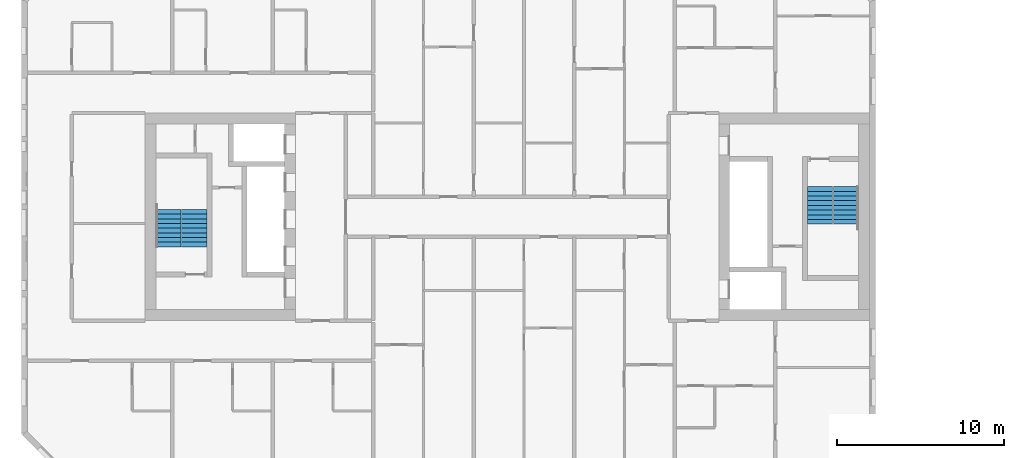
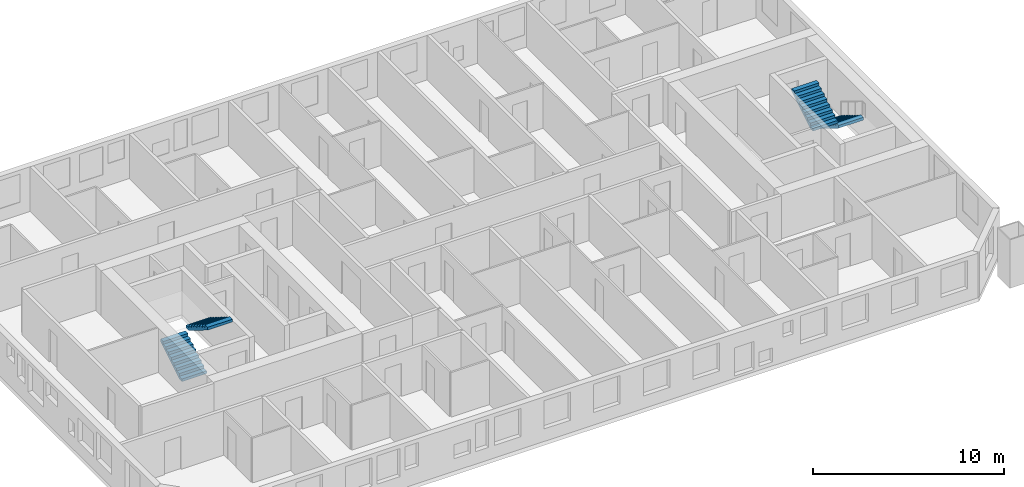
# One storey, part 16 of 17: 4 stair flights, 2 elements without a shape of their own.
"""IFC4 building model written with IfcOpenShell, lengths in metres."""

from ifc_helpers import new_model, si_unit, direction, frame, origin, place, context, subcontext, project, spatial, faceted_brep, material, type_object, element, aggregate, save


model = new_model("IFC4")

# Units and contexts
model_context = context("Model", 3, precision=1e-05, world=origin(), true_north=direction((0.0, 1.0)))
body_context = subcontext(model_context, "Body", "Model", "MODEL_VIEW")
ifc_project = project(units=[si_unit("LENGTHUNIT", "METRE"), si_unit("AREAUNIT", "SQUARE_METRE"), si_unit("VOLUMEUNIT", "CUBIC_METRE"), si_unit("PLANEANGLEUNIT", "RADIAN"), si_unit("MASSUNIT", "GRAM", prefix="KILO")], contexts=[model_context])

# Site, building, storey
site_placement = place(None, origin())
site = spatial("IfcSite", under=ifc_project, at=site_placement, CompositionType="ELEMENT")
building_placement = place(site_placement, origin())
building = spatial("IfcBuilding", under=site, at=building_placement, Name="Tuart Gate Housing", CompositionType="ELEMENT")
storey_placement = place(building_placement, frame((0.0, 0.0, 105.699951171875)))
storey = spatial("IfcBuildingStorey", under=building, at=storey_placement, Name="L29", CompositionType="ELEMENT", Elevation=105.699951171875)

# Stair, stair flights
ifc_material_1 = material(Name="Concrete C40", Category="concrete")
stair_type = type_object("IfcStairType", Name="Core stair 1500", PredefinedType="HALF_TURN_STAIR", material=ifc_material_1)
stair_1_placement = place(storey_placement, origin())
stair_1 = element("IfcStair", 1, at=stair_1_placement, inside=storey, type_object=stair_type, Name="Stair SA1", PredefinedType="HALF_TURN_STAIR")
ifc_material_2 = material(Name="Concrete C40", Category="concrete")
stair_flight_type = type_object("IfcStairFlightType", Name="Stair flight 1500, 9 risers 172 x 280", PredefinedType="STRAIGHT", material=ifc_material_2)
stair_flight_1_placement = place(storey_placement, frame((74.239990234375, 71.800048828125, 0.0), z_axis=(0.0, 0.0, 1.0), x_axis=(0.0, -1.0, 0.0)))
stair_flight_1 = element("IfcStairFlight", 2, at=stair_flight_1_placement, type_object=stair_flight_type, Name="SA1 flight 1", NumberOfRisers=9, NumberOfTreads=8, PredefinedType="STRAIGHT", RiserHeight=0.172222222, TreadLength=0.28, context=body_context, shape_type="Brep", body=[
    faceted_brep([(0.0, 0.75, 0.0), (0.0, 0.75, 0.172119140625), (0.280029296875, 0.75, 0.172119140625), (0.280029296875, 0.75, 0.344482421875), (0.56005859375, 0.75, 0.344482421875), (0.56005859375, 0.75, 0.5166015625), (0.840087890625, 0.75, 0.5166015625), (0.840087890625, 0.75, 0.68896484375), (1.1201171875, 0.75, 0.68896484375), (1.1201171875, 0.75, 0.861083984375), (1.39990234375, 0.75, 0.861083984375), (1.39990234375, 0.75, 1.033447265625), (1.679931640625, 0.75, 1.033447265625), (1.679931640625, 0.75, 1.20556640625), (1.9599609375, 0.75, 1.20556640625), (1.9599609375, 0.75, 1.377685546875), (2.239990234375, 0.75, 1.377685546875), (2.239990234375, 0.75, 1.201904296875), (0.2861328125, 0.75, 0.0), (0.2861328125, -0.75, 0.0), (2.239990234375, -0.75, 1.201904296875), (2.239990234375, -0.75, 1.377685546875), (1.9599609375, -0.75, 1.377685546875), (1.9599609375, -0.75, 1.20556640625), (1.679931640625, -0.75, 1.20556640625), (1.679931640625, -0.75, 1.033447265625), (1.39990234375, -0.75, 1.033447265625), (1.39990234375, -0.75, 0.861083984375), (1.1201171875, -0.75, 0.861083984375), (1.1201171875, -0.75, 0.68896484375), (0.840087890625, -0.75, 0.68896484375), (0.840087890625, -0.75, 0.5166015625), (0.56005859375, -0.75, 0.5166015625), (0.56005859375, -0.75, 0.344482421875), (0.280029296875, -0.75, 0.344482421875), (0.280029296875, -0.75, 0.172119140625), (0.0, -0.75, 0.172119140625), (0.0, -0.75, 0.0), (2.239990234375, 0.0, 1.201904296875), (0.2861328125, 0.0, 0.0), (2.239990234375, 0.0, 1.377685546875), (1.9599609375, 0.0, 1.377685546875), (1.9599609375, 0.0, 1.20556640625), (1.679931640625, 0.0, 1.20556640625), (1.679931640625, 0.0, 1.033447265625), (1.39990234375, 0.0, 1.033447265625), (1.39990234375, 0.0, 0.861083984375), (1.1201171875, 0.0, 0.861083984375), (1.1201171875, 0.0, 0.68896484375), (0.840087890625, 0.0, 0.68896484375), (0.840087890625, 0.0, 0.5166015625), (0.56005859375, 0.0, 0.5166015625), (0.56005859375, 0.0, 0.344482421875), (0.280029296875, 0.0, 0.344482421875), (0.280029296875, 0.0, 0.172119140625), (0.0, 0.0, 0.172119140625), (0.0, 0.0, 0.0)], [[[0, 1, 2, 3, 4, 5, 6, 7, 8, 9, 10, 11, 12, 13, 14, 15, 16, 17, 18]], [[19, 20, 21, 22, 23, 24, 25, 26, 27, 28, 29, 30, 31, 32, 33, 34, 35, 36, 37]], [[18, 17, 38, 39]], [[39, 38, 20, 19]], [[17, 16, 40, 38]], [[38, 40, 21, 20]], [[16, 15, 41, 40]], [[40, 41, 22, 21]], [[15, 14, 42, 41]], [[41, 42, 23, 22]], [[14, 13, 43, 42]], [[42, 43, 24, 23]], [[13, 12, 44, 43]], [[43, 44, 25, 24]], [[12, 11, 45, 44]], [[44, 45, 26, 25]], [[11, 10, 46, 45]], [[45, 46, 27, 26]], [[10, 9, 47, 46]], [[46, 47, 28, 27]], [[9, 8, 48, 47]], [[47, 48, 29, 28]], [[8, 7, 49, 48]], [[48, 49, 30, 29]], [[7, 6, 50, 49]], [[49, 50, 31, 30]], [[6, 5, 51, 50]], [[50, 51, 32, 31]], [[5, 4, 52, 51]], [[51, 52, 33, 32]], [[4, 3, 53, 52]], [[52, 53, 34, 33]], [[3, 2, 54, 53]], [[53, 54, 35, 34]], [[2, 1, 55, 54]], [[54, 55, 36, 35]], [[1, 0, 56, 55]], [[55, 56, 37, 36]], [[0, 18, 39, 56]], [[56, 39, 19, 37]]]),
])
stair_flight_2_placement = place(storey_placement, frame((72.68994140625, 69.56005859375, 1.550048828125), z_axis=(0.0, 0.0, 1.0), x_axis=(0.0, 1.0, 0.0)))
stair_flight_2 = element("IfcStairFlight", 3, at=stair_flight_2_placement, type_object=stair_flight_type, Name="SA1 flight 2", NumberOfRisers=9, NumberOfTreads=8, PredefinedType="STRAIGHT", RiserHeight=0.172222222, TreadLength=0.28, context=body_context, shape_type="Brep", body=[
    faceted_brep([(0.0, 0.75, 0.0), (0.0, 0.75, 0.172119140625), (0.280029296875, 0.75, 0.172119140625), (0.280029296875, 0.75, 0.344482421875), (0.56005859375, 0.75, 0.344482421875), (0.56005859375, 0.75, 0.5166015625), (0.840087890625, 0.75, 0.5166015625), (0.840087890625, 0.75, 0.68896484375), (1.1201171875, 0.75, 0.68896484375), (1.1201171875, 0.75, 0.861083984375), (1.39990234375, 0.75, 0.861083984375), (1.39990234375, 0.75, 1.033447265625), (1.679931640625, 0.75, 1.033447265625), (1.679931640625, 0.75, 1.20556640625), (1.9599609375, 0.75, 1.20556640625), (1.9599609375, 0.75, 1.377685546875), (2.239990234375, 0.75, 1.377685546875), (2.239990234375, 0.75, 1.201904296875), (0.2861328125, 0.75, 0.0), (0.2861328125, -0.75, 0.0), (2.239990234375, -0.75, 1.201904296875), (2.239990234375, -0.75, 1.377685546875), (1.9599609375, -0.75, 1.377685546875), (1.9599609375, -0.75, 1.20556640625), (1.679931640625, -0.75, 1.20556640625), (1.679931640625, -0.75, 1.033447265625), (1.39990234375, -0.75, 1.033447265625), (1.39990234375, -0.75, 0.861083984375), (1.1201171875, -0.75, 0.861083984375), (1.1201171875, -0.75, 0.68896484375), (0.840087890625, -0.75, 0.68896484375), (0.840087890625, -0.75, 0.5166015625), (0.56005859375, -0.75, 0.5166015625), (0.56005859375, -0.75, 0.344482421875), (0.280029296875, -0.75, 0.344482421875), (0.280029296875, -0.75, 0.172119140625), (0.0, -0.75, 0.172119140625), (0.0, -0.75, 0.0), (2.239990234375, 0.0, 1.201904296875), (0.2861328125, 0.0, 0.0), (2.239990234375, 0.0, 1.377685546875), (1.9599609375, 0.0, 1.377685546875), (1.9599609375, 0.0, 1.20556640625), (1.679931640625, 0.0, 1.20556640625), (1.679931640625, 0.0, 1.033447265625), (1.39990234375, 0.0, 1.033447265625), (1.39990234375, 0.0, 0.861083984375), (1.1201171875, 0.0, 0.861083984375), (1.1201171875, 0.0, 0.68896484375), (0.840087890625, 0.0, 0.68896484375), (0.840087890625, 0.0, 0.5166015625), (0.56005859375, 0.0, 0.5166015625), (0.56005859375, 0.0, 0.344482421875), (0.280029296875, 0.0, 0.344482421875), (0.280029296875, 0.0, 0.172119140625), (0.0, 0.0, 0.172119140625), (0.0, 0.0, 0.0)], [[[0, 1, 2, 3, 4, 5, 6, 7, 8, 9, 10, 11, 12, 13, 14, 15, 16, 17, 18]], [[19, 20, 21, 22, 23, 24, 25, 26, 27, 28, 29, 30, 31, 32, 33, 34, 35, 36, 37]], [[18, 17, 38, 39]], [[39, 38, 20, 19]], [[17, 16, 40, 38]], [[38, 40, 21, 20]], [[16, 15, 41, 40]], [[40, 41, 22, 21]], [[15, 14, 42, 41]], [[41, 42, 23, 22]], [[14, 13, 43, 42]], [[42, 43, 24, 23]], [[13, 12, 44, 43]], [[43, 44, 25, 24]], [[12, 11, 45, 44]], [[44, 45, 26, 25]], [[11, 10, 46, 45]], [[45, 46, 27, 26]], [[10, 9, 47, 46]], [[46, 47, 28, 27]], [[9, 8, 48, 47]], [[47, 48, 29, 28]], [[8, 7, 49, 48]], [[48, 49, 30, 29]], [[7, 6, 50, 49]], [[49, 50, 31, 30]], [[6, 5, 51, 50]], [[50, 51, 32, 31]], [[5, 4, 52, 51]], [[51, 52, 33, 32]], [[4, 3, 53, 52]], [[52, 53, 34, 33]], [[3, 2, 54, 53]], [[53, 54, 35, 34]], [[2, 1, 55, 54]], [[54, 55, 36, 35]], [[1, 0, 56, 55]], [[55, 56, 37, 36]], [[0, 18, 39, 56]], [[56, 39, 19, 37]]]),
])
aggregate(stair_1, [stair_flight_1, stair_flight_2])

stair_2_placement = place(storey_placement, origin())
stair_2 = element("IfcStair", 4, at=stair_2_placement, inside=storey, type_object=stair_type, Name="Stair SA2", PredefinedType="HALF_TURN_STAIR")
stair_flight_3_placement = place(storey_placement, frame((33.760009765625, 68.199951171875, 0.0), z_axis=(0.0, 0.0, 1.0), x_axis=(0.0, 1.0, 0.0)))
stair_flight_3 = element("IfcStairFlight", 5, at=stair_flight_3_placement, type_object=stair_flight_type, Name="SA2 flight 1", NumberOfRisers=9, NumberOfTreads=8, PredefinedType="STRAIGHT", RiserHeight=0.172222222, TreadLength=0.28, context=body_context, shape_type="Brep", body=[
    faceted_brep([(0.0, 0.75, 0.0), (0.0, 0.75, 0.172119140625), (0.280029296875, 0.75, 0.172119140625), (0.280029296875, 0.75, 0.344482421875), (0.56005859375, 0.75, 0.344482421875), (0.56005859375, 0.75, 0.5166015625), (0.840087890625, 0.75, 0.5166015625), (0.840087890625, 0.75, 0.68896484375), (1.1201171875, 0.75, 0.68896484375), (1.1201171875, 0.75, 0.861083984375), (1.39990234375, 0.75, 0.861083984375), (1.39990234375, 0.75, 1.033447265625), (1.679931640625, 0.75, 1.033447265625), (1.679931640625, 0.75, 1.20556640625), (1.9599609375, 0.75, 1.20556640625), (1.9599609375, 0.75, 1.377685546875), (2.239990234375, 0.75, 1.377685546875), (2.239990234375, 0.75, 1.201904296875), (0.2861328125, 0.75, 0.0), (0.2861328125, -0.75, 0.0), (2.239990234375, -0.75, 1.201904296875), (2.239990234375, -0.75, 1.377685546875), (1.9599609375, -0.75, 1.377685546875), (1.9599609375, -0.75, 1.20556640625), (1.679931640625, -0.75, 1.20556640625), (1.679931640625, -0.75, 1.033447265625), (1.39990234375, -0.75, 1.033447265625), (1.39990234375, -0.75, 0.861083984375), (1.1201171875, -0.75, 0.861083984375), (1.1201171875, -0.75, 0.68896484375), (0.840087890625, -0.75, 0.68896484375), (0.840087890625, -0.75, 0.5166015625), (0.56005859375, -0.75, 0.5166015625), (0.56005859375, -0.75, 0.344482421875), (0.280029296875, -0.75, 0.344482421875), (0.280029296875, -0.75, 0.172119140625), (0.0, -0.75, 0.172119140625), (0.0, -0.75, 0.0), (2.239990234375, 0.0, 1.201904296875), (0.2861328125, 0.0, 0.0), (2.239990234375, 0.0, 1.377685546875), (1.9599609375, 0.0, 1.377685546875), (1.9599609375, 0.0, 1.20556640625), (1.679931640625, 0.0, 1.20556640625), (1.679931640625, 0.0, 1.033447265625), (1.39990234375, 0.0, 1.033447265625), (1.39990234375, 0.0, 0.861083984375), (1.1201171875, 0.0, 0.861083984375), (1.1201171875, 0.0, 0.68896484375), (0.840087890625, 0.0, 0.68896484375), (0.840087890625, 0.0, 0.5166015625), (0.56005859375, 0.0, 0.5166015625), (0.56005859375, 0.0, 0.344482421875), (0.280029296875, 0.0, 0.344482421875), (0.280029296875, 0.0, 0.172119140625), (0.0, 0.0, 0.172119140625), (0.0, 0.0, 0.0)], [[[0, 1, 2, 3, 4, 5, 6, 7, 8, 9, 10, 11, 12, 13, 14, 15, 16, 17, 18]], [[19, 20, 21, 22, 23, 24, 25, 26, 27, 28, 29, 30, 31, 32, 33, 34, 35, 36, 37]], [[18, 17, 38, 39]], [[39, 38, 20, 19]], [[17, 16, 40, 38]], [[38, 40, 21, 20]], [[16, 15, 41, 40]], [[40, 41, 22, 21]], [[15, 14, 42, 41]], [[41, 42, 23, 22]], [[14, 13, 43, 42]], [[42, 43, 24, 23]], [[13, 12, 44, 43]], [[43, 44, 25, 24]], [[12, 11, 45, 44]], [[44, 45, 26, 25]], [[11, 10, 46, 45]], [[45, 46, 27, 26]], [[10, 9, 47, 46]], [[46, 47, 28, 27]], [[9, 8, 48, 47]], [[47, 48, 29, 28]], [[8, 7, 49, 48]], [[48, 49, 30, 29]], [[7, 6, 50, 49]], [[49, 50, 31, 30]], [[6, 5, 51, 50]], [[50, 51, 32, 31]], [[5, 4, 52, 51]], [[51, 52, 33, 32]], [[4, 3, 53, 52]], [[52, 53, 34, 33]], [[3, 2, 54, 53]], [[53, 54, 35, 34]], [[2, 1, 55, 54]], [[54, 55, 36, 35]], [[1, 0, 56, 55]], [[55, 56, 37, 36]], [[0, 18, 39, 56]], [[56, 39, 19, 37]]]),
])
stair_flight_4_placement = place(storey_placement, frame((35.31005859375, 70.43994140625, 1.550048828125), z_axis=(0.0, 0.0, 1.0), x_axis=(0.0, -1.0, 0.0)))
stair_flight_4 = element("IfcStairFlight", 6, at=stair_flight_4_placement, type_object=stair_flight_type, Name="SA2 flight 2", NumberOfRisers=9, NumberOfTreads=8, PredefinedType="STRAIGHT", RiserHeight=0.172222222, TreadLength=0.28, context=body_context, shape_type="Brep", body=[
    faceted_brep([(0.0, 0.75, 0.0), (0.0, 0.75, 0.172119140625), (0.280029296875, 0.75, 0.172119140625), (0.280029296875, 0.75, 0.344482421875), (0.56005859375, 0.75, 0.344482421875), (0.56005859375, 0.75, 0.5166015625), (0.840087890625, 0.75, 0.5166015625), (0.840087890625, 0.75, 0.68896484375), (1.1201171875, 0.75, 0.68896484375), (1.1201171875, 0.75, 0.861083984375), (1.39990234375, 0.75, 0.861083984375), (1.39990234375, 0.75, 1.033447265625), (1.679931640625, 0.75, 1.033447265625), (1.679931640625, 0.75, 1.20556640625), (1.9599609375, 0.75, 1.20556640625), (1.9599609375, 0.75, 1.377685546875), (2.239990234375, 0.75, 1.377685546875), (2.239990234375, 0.75, 1.201904296875), (0.2861328125, 0.75, 0.0), (0.2861328125, -0.75, 0.0), (2.239990234375, -0.75, 1.201904296875), (2.239990234375, -0.75, 1.377685546875), (1.9599609375, -0.75, 1.377685546875), (1.9599609375, -0.75, 1.20556640625), (1.679931640625, -0.75, 1.20556640625), (1.679931640625, -0.75, 1.033447265625), (1.39990234375, -0.75, 1.033447265625), (1.39990234375, -0.75, 0.861083984375), (1.1201171875, -0.75, 0.861083984375), (1.1201171875, -0.75, 0.68896484375), (0.840087890625, -0.75, 0.68896484375), (0.840087890625, -0.75, 0.5166015625), (0.56005859375, -0.75, 0.5166015625), (0.56005859375, -0.75, 0.344482421875), (0.280029296875, -0.75, 0.344482421875), (0.280029296875, -0.75, 0.172119140625), (0.0, -0.75, 0.172119140625), (0.0, -0.75, 0.0), (2.239990234375, 0.0, 1.201904296875), (0.2861328125, 0.0, 0.0), (2.239990234375, 0.0, 1.377685546875), (1.9599609375, 0.0, 1.377685546875), (1.9599609375, 0.0, 1.20556640625), (1.679931640625, 0.0, 1.20556640625), (1.679931640625, 0.0, 1.033447265625), (1.39990234375, 0.0, 1.033447265625), (1.39990234375, 0.0, 0.861083984375), (1.1201171875, 0.0, 0.861083984375), (1.1201171875, 0.0, 0.68896484375), (0.840087890625, 0.0, 0.68896484375), (0.840087890625, 0.0, 0.5166015625), (0.56005859375, 0.0, 0.5166015625), (0.56005859375, 0.0, 0.344482421875), (0.280029296875, 0.0, 0.344482421875), (0.280029296875, 0.0, 0.172119140625), (0.0, 0.0, 0.172119140625), (0.0, 0.0, 0.0)], [[[0, 1, 2, 3, 4, 5, 6, 7, 8, 9, 10, 11, 12, 13, 14, 15, 16, 17, 18]], [[19, 20, 21, 22, 23, 24, 25, 26, 27, 28, 29, 30, 31, 32, 33, 34, 35, 36, 37]], [[18, 17, 38, 39]], [[39, 38, 20, 19]], [[17, 16, 40, 38]], [[38, 40, 21, 20]], [[16, 15, 41, 40]], [[40, 41, 22, 21]], [[15, 14, 42, 41]], [[41, 42, 23, 22]], [[14, 13, 43, 42]], [[42, 43, 24, 23]], [[13, 12, 44, 43]], [[43, 44, 25, 24]], [[12, 11, 45, 44]], [[44, 45, 26, 25]], [[11, 10, 46, 45]], [[45, 46, 27, 26]], [[10, 9, 47, 46]], [[46, 47, 28, 27]], [[9, 8, 48, 47]], [[47, 48, 29, 28]], [[8, 7, 49, 48]], [[48, 49, 30, 29]], [[7, 6, 50, 49]], [[49, 50, 31, 30]], [[6, 5, 51, 50]], [[50, 51, 32, 31]], [[5, 4, 52, 51]], [[51, 52, 33, 32]], [[4, 3, 53, 52]], [[52, 53, 34, 33]], [[3, 2, 54, 53]], [[53, 54, 35, 34]], [[2, 1, 55, 54]], [[54, 55, 36, 35]], [[1, 0, 56, 55]], [[55, 56, 37, 36]], [[0, 18, 39, 56]], [[56, 39, 19, 37]]]),
])
aggregate(stair_2, [stair_flight_3, stair_flight_4])

save(model, "model.ifc")
